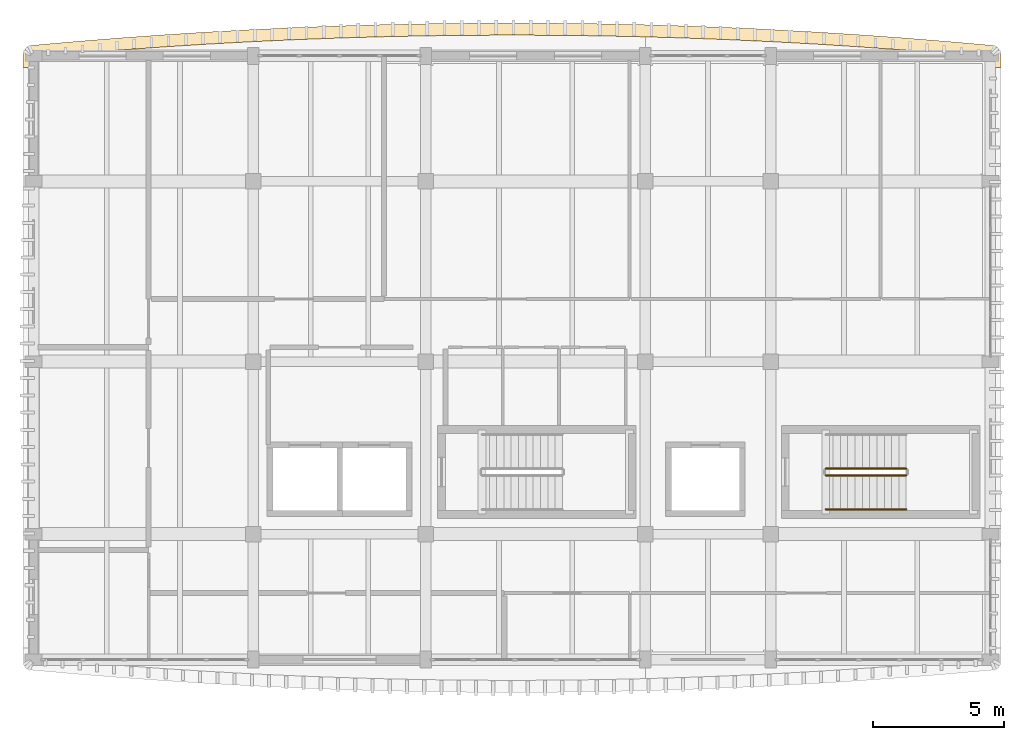
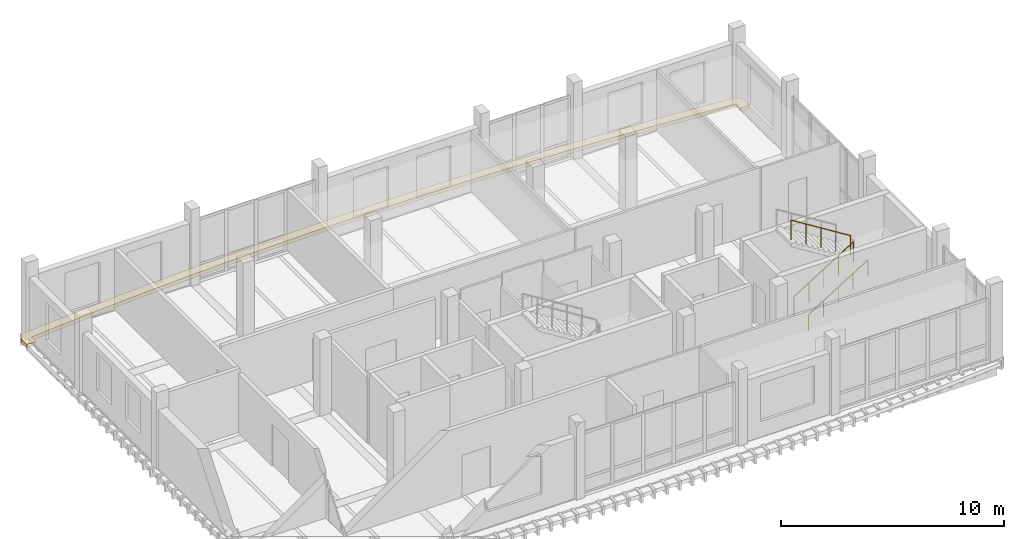
# One storey, part 12 of 16: 3 railings, 1 covering.
"""IFC4 building model written with IfcOpenShell, lengths in metres."""

from ifc_helpers import new_model, si_unit, direction, frame, origin, origin_2d, place, context, subcontext, project, spatial, polyline, circle, outline, extrude, material, layer, layer_set, type_object, element, save


model = new_model("IFC4")

# Units and contexts
model_context = context("Model", 3, precision=1e-05, world=origin(), true_north=direction((0.0, 1.0)))
body_context = subcontext(model_context, "Body", "Model", "MODEL_VIEW")
ifc_project = project(units=[si_unit("LENGTHUNIT", "METRE"), si_unit("AREAUNIT", "SQUARE_METRE"), si_unit("VOLUMEUNIT", "CUBIC_METRE"), si_unit("PLANEANGLEUNIT", "RADIAN"), si_unit("MASSUNIT", "GRAM", prefix="KILO")], contexts=[model_context])

# Site, building, storey
site_placement = place(None, origin())
site = spatial("IfcSite", under=ifc_project, at=site_placement, CompositionType="ELEMENT")
building_placement = place(site_placement, origin())
building = spatial("IfcBuilding", under=site, at=building_placement, Name="Dornvale Research Institute", CompositionType="ELEMENT")
storey_placement = place(building_placement, frame((0.0, 0.0, 42.60009765625)))
storey = spatial("IfcBuildingStorey", under=building, at=storey_placement, Name="L09", CompositionType="ELEMENT", Elevation=42.60009765625)

# Covering
ifc_material_1 = material(Name="Polychrome Glazed Terracotta Visor Rib Ceramic", Category="masonry")
ifc_layer_1 = layer(ifc_material_1, 0.199951171875)
ifc_layer_set_1 = layer_set([ifc_layer_1], Name="Polychrome Glazed Terracotta Visor Rib Ceramic")
covering_type = type_object("IfcCoveringType", Name="Covering_VisorBrim_Shelf", PredefinedType="CLADDING", material=ifc_layer_set_1)
covering_placement = place(storey_placement, frame((0.0, 0.0, -0.280029296875)))
element("IfcCovering", 1, at=covering_placement, inside=storey, type_object=covering_type, Name="L09 V5 canted bowed-brim visor hood #37", PredefinedType="CLADDING", context=body_context, shape_type="SweptSolid", body=[
    extrude(outline(polyline([(4.42431640625, 122.24609375), (4.502685546875, 122.372314453125), (4.621337890625, 122.46142578125), (4.764404296875, 122.501708984375), (6.427978515625, 122.649169921875), (6.431396484375, 122.6494140625), (8.094970703125, 122.782958984375), (8.098388671875, 122.783203125), (9.761962890625, 122.902587890625), (9.765380859375, 122.90283203125), (11.428955078125, 123.00830078125), (11.432373046875, 123.00830078125), (13.09619140625, 123.099609375), (13.099609375, 123.099853515625), (14.76318359375, 123.17724609375), (14.7666015625, 123.17724609375), (16.43017578125, 123.240478515625), (16.43359375, 123.240478515625), (18.09716796875, 123.289794921875), (18.1005859375, 123.289794921875), (19.76416015625, 123.324951171875), (19.767578125, 123.3251953125), (21.431396484375, 123.34619140625), (21.434814453125, 123.34619140625), (23.098388671875, 123.353271484375), (23.101806640625, 123.353271484375), (24.765380859375, 123.34619140625), (24.768798828125, 123.34619140625), (26.432373046875, 123.3251953125), (26.435791015625, 123.324951171875), (28.099365234375, 123.289794921875), (28.102783203125, 123.289794921875), (29.766357421875, 123.240478515625), (29.769775390625, 123.240478515625), (31.43359375, 123.17724609375), (31.43701171875, 123.17724609375), (33.1005859375, 123.099853515625), (33.10400390625, 123.099609375), (34.767578125, 123.00830078125), (34.77099609375, 123.00830078125), (36.4345703125, 122.90283203125), (36.43798828125, 122.902587890625), (38.1015625, 122.783203125), (38.10498046875, 122.782958984375), (39.768798828125, 122.6494140625), (39.77197265625, 122.649169921875), (41.435546875, 122.501708984375), (41.57861328125, 122.46142578125), (41.697509765625, 122.372314453125), (41.77587890625, 122.24609375), (41.80322265625, 122.10009765625), (41.80322265625, 121.64990234375), (41.340087890625, 121.64990234375), (41.340087890625, 122.045166015625), (39.7314453125, 122.187744140625), (38.068115234375, 122.3212890625), (36.405029296875, 122.4404296875), (34.741943359375, 122.5458984375), (33.078857421875, 122.63720703125), (31.415771484375, 122.714599609375), (29.75244140625, 122.777587890625), (28.08935546875, 122.826904296875), (26.42626953125, 122.86181640625), (24.76318359375, 122.883056640625), (23.10009765625, 122.889892578125), (21.43701171875, 122.883056640625), (19.773681640625, 122.86181640625), (18.110595703125, 122.826904296875), (16.447509765625, 122.777587890625), (14.7841796875, 122.714599609375), (13.12109375, 122.63720703125), (11.4580078125, 122.5458984375), (9.794921875, 122.4404296875), (8.1318359375, 122.3212890625), (6.468505859375, 122.187744140625), (4.860107421875, 122.045166015625), (4.860107421875, 121.64990234375), (4.396728515625, 121.64990234375), (4.396728515625, 122.10009765625), (4.42431640625, 122.24609375)])), origin(), (0.0, 0.0, 1.0), 0.199951171875),
])

# Railings
ifc_material_2 = material(Name="Galvanized Painted Tubular Steel Stair Rail", Category="steel")
ifc_layer_2 = layer(ifc_material_2, 0.050048828125)
ifc_layer_set_2 = layer_set([ifc_layer_2], Name="Galvanized Painted Tubular Steel Stair Rail")
railing_type_1 = type_object("IfcRailingType", Name="Railing_Stair_Guard_1100", PredefinedType="GUARDRAIL", material=ifc_layer_set_2)
railing_1_placement = place(storey_placement, frame((35.10009765625, 106.050048828125, 0.1748046875)))
element("IfcRailing", 2, at=railing_1_placement, inside=storey, type_object=railing_type_1, Name="L09 ST-2 stair guard 1", PredefinedType="GUARDRAIL", context=body_context, shape_type="SweptSolid", body=[
    extrude(circle(Radius=0.02392578125, at=origin_2d()), frame((0.0, 0.0, 1.076171875), z_axis=(0.847979421464, 0.0, 0.530029150871), x_axis=(0.0, 1.0, 0.0)), (0.0, 0.0, 1.0), 3.632080078125),
    extrude(circle(Radius=0.02099609375, at=origin_2d()), origin(), (0.0, 0.0, 1.0), 1.052001953125),
    extrude(circle(Radius=0.02099609375, at=origin_2d()), frame((0.77001953125, 0.0, 0.481201171875)), (0.0, 0.0, 1.0), 1.052001953125),
    extrude(circle(Radius=0.02099609375, at=origin_2d()), frame((1.5400390625, 0.0, 0.96240234375)), (0.0, 0.0, 1.0), 1.052001953125),
    extrude(circle(Radius=0.02099609375, at=origin_2d()), frame((2.309814453125, 0.0, 1.44384765625)), (0.0, 0.0, 1.0), 1.052001953125),
    extrude(circle(Radius=0.02099609375, at=origin_2d()), frame((3.079833984375, 0.0, 1.925048828125)), (0.0, 0.0, 1.0), 1.052001953125),
])
railing_2_placement = place(storey_placement, frame((38.179931640625, 106.31005859375, 2.27490234375)))
element("IfcRailing", 3, at=railing_2_placement, inside=storey, type_object=railing_type_1, Name="L09 ST-2 stair guard 3", PredefinedType="GUARDRAIL", context=body_context, shape_type="SweptSolid", body=[
    extrude(circle(Radius=0.02392578125, at=origin_2d()), frame((0.0, 0.0, 1.076171875), z_axis=(-0.847979421464, 0.0, 0.530029150871), x_axis=(0.0, -1.0, 0.0)), (0.0, 0.0, 1.0), 3.632080078125),
    extrude(circle(Radius=0.02099609375, at=origin_2d()), origin(), (0.0, 0.0, 1.0), 1.052001953125),
    extrude(circle(Radius=0.02099609375, at=origin_2d()), frame((-0.77001953125, 0.0, 0.481201171875)), (0.0, 0.0, 1.0), 1.052001953125),
    extrude(circle(Radius=0.02099609375, at=origin_2d()), frame((-1.5400390625, 0.0, 0.96240234375)), (0.0, 0.0, 1.0), 1.052001953125),
    extrude(circle(Radius=0.02099609375, at=origin_2d()), frame((-2.309814453125, 0.0, 1.44384765625)), (0.0, 0.0, 1.0), 1.052001953125),
    extrude(circle(Radius=0.02099609375, at=origin_2d()), frame((-3.079833984375, 0.0, 1.925048828125)), (0.0, 0.0, 1.0), 1.052001953125),
])
ifc_material_3 = material(Name="Galvanized Painted Tubular Steel Stair Rail", Category="steel")
ifc_layer_3 = layer(ifc_material_3, 0.044921875)
ifc_layer_set_3 = layer_set([ifc_layer_3], Name="Galvanized Painted Tubular Steel Stair Rail")
railing_type_2 = type_object("IfcRailingType", Name="Railing_Stair_Handrail_900", PredefinedType="HANDRAIL", material=ifc_layer_set_3)
railing_3_placement = place(storey_placement, frame((35.10009765625, 104.75, 0.1748046875)))
element("IfcRailing", 4, at=railing_3_placement, inside=storey, type_object=railing_type_2, Name="L09 ST-2 stair handrail 1", PredefinedType="HANDRAIL", context=body_context, shape_type="SweptSolid", body=[
    extrude(circle(Radius=0.02392578125, at=origin_2d()), frame((0.0, 0.0, 0.8759765625), z_axis=(0.847979421464, 0.0, 0.530029150871), x_axis=(0.0, 1.0, 0.0)), (0.0, 0.0, 1.0), 3.632080078125),
    extrude(circle(Radius=0.02099609375, at=origin_2d()), origin(), (0.0, 0.0, 1.0), 0.851806640625),
    extrude(circle(Radius=0.02099609375, at=origin_2d()), frame((0.77001953125, 0.0, 0.481201171875)), (0.0, 0.0, 1.0), 0.851806640625),
    extrude(circle(Radius=0.02099609375, at=origin_2d()), frame((1.5400390625, 0.0, 0.96240234375)), (0.0, 0.0, 1.0), 0.851806640625),
    extrude(circle(Radius=0.02099609375, at=origin_2d()), frame((2.309814453125, 0.0, 1.44384765625)), (0.0, 0.0, 1.0), 0.851806640625),
    extrude(circle(Radius=0.02099609375, at=origin_2d()), frame((3.079833984375, 0.0, 1.925048828125)), (0.0, 0.0, 1.0), 0.851806640625),
])

save(model, "model.ifc")
